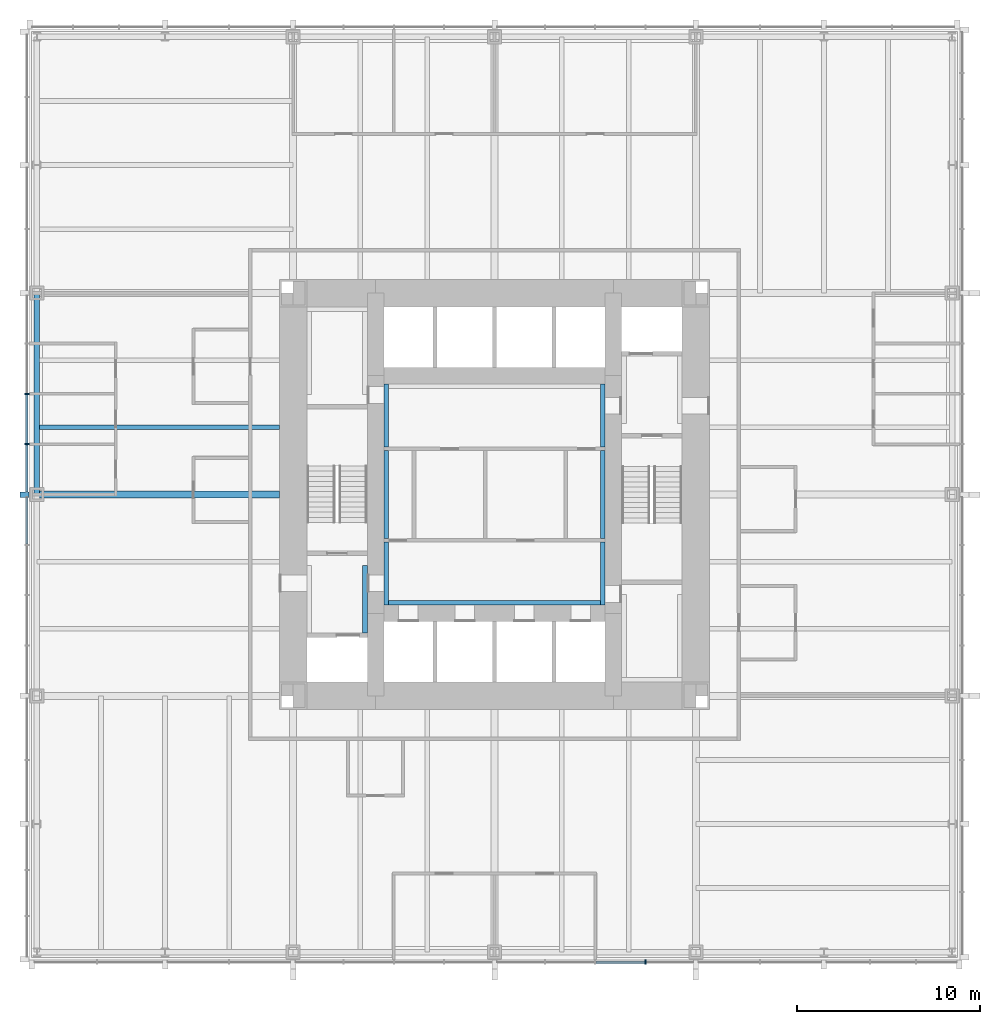
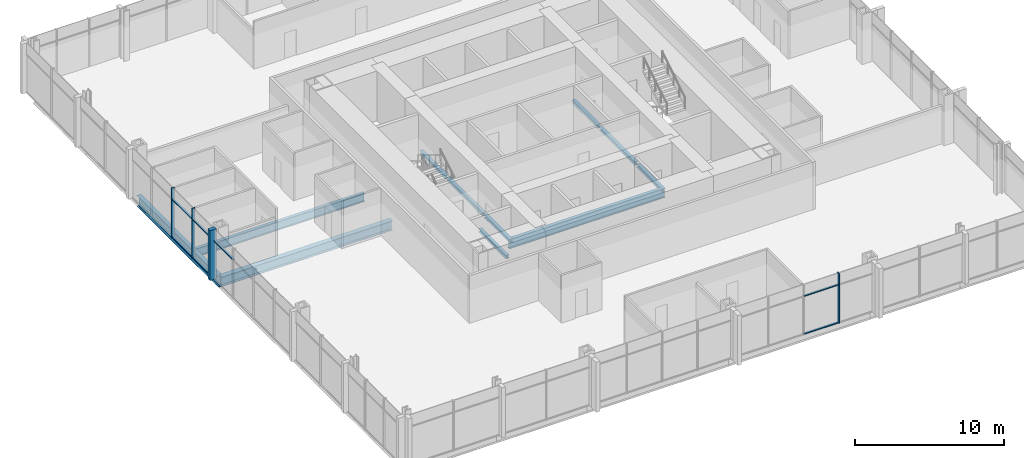
# One storey, part 3 of 12: 11 beams, 11 members, 2 elements without a shape of their own.
"""IFC4 building model written with IfcOpenShell, lengths in metres."""

from ifc_helpers import new_model, si_unit, direction, frame, origin, origin_2d, place, context, subcontext, project, spatial, rectangle, i_section, extrude, material, material_profile, profile_set, type_object, element, aggregate, save


model = new_model("IFC4")

# Units and contexts
model_context = context("Model", 3, precision=1e-05, world=origin(), true_north=direction((0.0, 1.0)))
body_context = subcontext(model_context, "Body", "Model", "MODEL_VIEW")
ifc_project = project(units=[si_unit("LENGTHUNIT", "METRE"), si_unit("AREAUNIT", "SQUARE_METRE"), si_unit("VOLUMEUNIT", "CUBIC_METRE"), si_unit("PLANEANGLEUNIT", "RADIAN"), si_unit("MASSUNIT", "GRAM", prefix="KILO")], contexts=[model_context])

# Site, building, storey
site_placement = place(None, origin())
site = spatial("IfcSite", under=ifc_project, at=site_placement, CompositionType="ELEMENT")
building_placement = place(site_placement, origin())
building = spatial("IfcBuilding", under=site, at=building_placement, Name="Trevanion Tower", CompositionType="ELEMENT")
storey_placement = place(building_placement, frame((0.0, 0.0, 57.0)))
storey = spatial("IfcBuildingStorey", under=building, at=storey_placement, Name="L13", CompositionType="ELEMENT", Elevation=57.0)

# Beam
ifc_material_1 = material(Name="Steel ASTM A992 Grade 50", Category="steel")
ifc_material_profile_1 = material_profile(ifc_material_1, i_section(OverallWidth=0.25390625, OverallDepth=0.700927734375, WebThickness=0.015380859375, FlangeThickness=0.02783203125, at=origin_2d()), Name="W27X129")
ifc_profile_set_1 = profile_set([ifc_material_profile_1], Name="Steel ASTM A992 Grade 50")
beam_type_1 = type_object("IfcBeamType", Name="B3 W27X129", PredefinedType="BEAM", material=ifc_profile_set_1)
beam_1_placement = place(storey_placement, frame((-11.75, 3.666748046875, -0.54052734375), z_axis=(-1.0, 0.0, 0.0), x_axis=(0.0, -1.0, 0.0)))
element("IfcBeam", 1, at=beam_1_placement, inside=storey, type_object=beam_type_1, Name="B3 L13", PredefinedType="BEAM", context=body_context, shape_type="SweptSolid", body=[
    extrude(i_section(OverallWidth=0.25390625, OverallDepth=0.700927734375, WebThickness=0.015380859375, FlangeThickness=0.02783203125, at=origin_2d()), origin(), (0.0, 0.0, 1.0), 13.25),
])

# Curtain wall, members
ifc_material_2 = material(Name="Aluminium and glass", Category="aluminium")
curtain_wall_type = type_object("IfcCurtainWallType", Name="CW1 curtain wall", PredefinedType="USERDEFINED", material=ifc_material_2)
curtain_wall_1_placement = place(storey_placement, origin())
curtain_wall_1 = element("IfcCurtainWall", 2, at=curtain_wall_1_placement, inside=storey, type_object=curtain_wall_type, Name="CW1 L13 2", ObjectType="UNITISED CURTAIN WALL", PredefinedType="USERDEFINED")
ifc_material_3 = material(Name="Aluminium extrusion, anodised bronze", Category="aluminium")
ifc_material_profile_2 = material_profile(ifc_material_3, rectangle(XDim=0.074951171875, YDim=0.25, at=origin_2d()), Name="CW1 mullion")
ifc_profile_set_2 = profile_set([ifc_material_profile_2], Name="Aluminium extrusion, anodised bronze")
member_type_1 = type_object("IfcMemberType", Name="CW1 mullion", PredefinedType="MULLION", material=ifc_profile_set_2)
member_1_placement = place(storey_placement, frame((-25.550048828125, 5.5, -0.18994140625), z_axis=(0.0, 0.0, 1.0), x_axis=(0.0, -1.0, 0.0)))
member_1 = element("IfcMember", 3, at=member_1_placement, type_object=member_type_1, Name="CW1 mullion 7", PredefinedType="MULLION", context=body_context, shape_type="SweptSolid", body=[
    extrude(rectangle(XDim=0.074951171875, YDim=0.25, at=origin_2d()), origin(), (0.0, 0.0, 1.0), 4.099853515625),
])
member_2_placement = place(storey_placement, frame((-25.550048828125, 2.75, -0.18994140625), z_axis=(0.0, 0.0, 1.0), x_axis=(0.0, -1.0, 0.0)))
member_2 = element("IfcMember", 4, at=member_2_placement, type_object=member_type_1, Name="CW1 mullion 8", PredefinedType="MULLION", context=body_context, shape_type="SweptSolid", body=[
    extrude(rectangle(XDim=0.074951171875, YDim=0.25, at=origin_2d()), origin(), (0.0, 0.0, 1.0), 4.099853515625),
])

# Curtain wall, member
curtain_wall_2_placement = place(storey_placement, origin())
curtain_wall_2 = element("IfcCurtainWall", 5, at=curtain_wall_2_placement, inside=storey, type_object=curtain_wall_type, Name="CW1 L13 3", ObjectType="UNITISED CURTAIN WALL", PredefinedType="USERDEFINED")
member_3_placement = place(storey_placement, frame((8.25, -25.550048828125, -0.18994140625), z_axis=(0.0, 0.0, 1.0), x_axis=(1.0, 0.0, 0.0)))
member_3 = element("IfcMember", 6, at=member_3_placement, type_object=member_type_1, Name="CW1 mullion 12", PredefinedType="MULLION", context=body_context, shape_type="SweptSolid", body=[
    extrude(rectangle(XDim=0.074951171875, YDim=0.25, at=origin_2d()), origin(), (0.0, 0.0, 1.0), 4.099853515625),
])

# Member
ifc_material_4 = material(Name="Aluminium extrusion, anodised bronze", Category="aluminium")
ifc_material_profile_3 = material_profile(ifc_material_4, rectangle(XDim=0.300048828125, YDim=0.5, at=origin_2d()), Name="CW1 pier mullion")
ifc_profile_set_3 = profile_set([ifc_material_profile_3], Name="Aluminium extrusion, anodised bronze")
member_type_2 = type_object("IfcMemberType", Name="CW1 pier mullion", PredefinedType="MULLION", material=ifc_profile_set_3)
member_4_placement = place(storey_placement, frame((-25.675048828125, 0.0, -0.18994140625), z_axis=(0.0, 0.0, 1.0), x_axis=(0.0, -1.0, 0.0)))
member_4 = element("IfcMember", 7, at=member_4_placement, type_object=member_type_2, Name="CW1 pier mullion 9", PredefinedType="MULLION", context=body_context, shape_type="SweptSolid", body=[
    extrude(rectangle(XDim=0.300048828125, YDim=0.5, at=origin_2d()), origin(), (0.0, 0.0, 1.0), 4.099853515625),
])

ifc_material_5 = material(Name="Aluminium extrusion, anodised bronze", Category="aluminium")
ifc_material_profile_4 = material_profile(ifc_material_5, rectangle(XDim=0.14990234375, YDim=0.074951171875, at=origin_2d()), Name="CW1 transom")
ifc_profile_set_4 = profile_set([ifc_material_profile_4], Name="Aluminium extrusion, anodised bronze")
member_type_3 = type_object("IfcMemberType", Name="CW1 transom", PredefinedType="USERDEFINED", material=ifc_profile_set_4)
member_5_placement = place(storey_placement, frame((-25.550048828125, 5.46240234375, -0.152587890625), z_axis=(0.0, -1.0, 0.0), x_axis=(1.0, 0.0, 0.0)))
member_5 = element("IfcMember", 8, at=member_5_placement, type_object=member_type_3, Name="CW1 transom 7.1", ObjectType="TRANSOM", PredefinedType="USERDEFINED", context=body_context, shape_type="SweptSolid", body=[
    extrude(rectangle(XDim=0.14990234375, YDim=0.074951171875, at=origin_2d()), origin(), (0.0, 0.0, 1.0), 2.6748046875),
])

member_6_placement = place(storey_placement, frame((-25.550048828125, 5.46240234375, 2.9599609375), z_axis=(0.0, -1.0, 0.0), x_axis=(1.0, 0.0, 0.0)))
member_6 = element("IfcMember", 9, at=member_6_placement, type_object=member_type_3, Name="CW1 transom 7.2", ObjectType="TRANSOM", PredefinedType="USERDEFINED", context=body_context, shape_type="SweptSolid", body=[
    extrude(rectangle(XDim=0.14990234375, YDim=0.074951171875, at=origin_2d()), origin(), (0.0, 0.0, 1.0), 2.6748046875),
])

member_7_placement = place(storey_placement, frame((-25.550048828125, 2.71240234375, -0.152587890625), z_axis=(0.0, -1.0, 0.0), x_axis=(1.0, 0.0, 0.0)))
member_7 = element("IfcMember", 10, at=member_7_placement, type_object=member_type_3, Name="CW1 transom 8.1", ObjectType="TRANSOM", PredefinedType="USERDEFINED", context=body_context, shape_type="SweptSolid", body=[
    extrude(rectangle(XDim=0.14990234375, YDim=0.074951171875, at=origin_2d()), origin(), (0.0, 0.0, 1.0), 2.5625),
])

member_8_placement = place(storey_placement, frame((-25.550048828125, 2.71240234375, 2.9599609375), z_axis=(0.0, -1.0, 0.0), x_axis=(1.0, 0.0, 0.0)))
member_8 = element("IfcMember", 11, at=member_8_placement, type_object=member_type_3, Name="CW1 transom 8.2", ObjectType="TRANSOM", PredefinedType="USERDEFINED", context=body_context, shape_type="SweptSolid", body=[
    extrude(rectangle(XDim=0.14990234375, YDim=0.074951171875, at=origin_2d()), origin(), (0.0, 0.0, 1.0), 2.5625),
])

member_9_placement = place(storey_placement, frame((-25.550048828125, -0.14990234375, 2.9599609375), z_axis=(0.0, -1.0, 0.0), x_axis=(1.0, 0.0, 0.0)))
member_9 = element("IfcMember", 12, at=member_9_placement, type_object=member_type_3, Name="CW1 transom 9.2", ObjectType="TRANSOM", PredefinedType="USERDEFINED", context=body_context, shape_type="SweptSolid", body=[
    extrude(rectangle(XDim=0.14990234375, YDim=0.074951171875, at=origin_2d()), origin(), (0.0, 0.0, 1.0), 2.5625),
])

aggregate(curtain_wall_1, [member_1, member_2, member_4, member_5, member_6, member_7, member_8, member_9])

member_10_placement = place(storey_placement, frame((5.53759765625, -25.550048828125, -0.152587890625), z_axis=(1.0, 0.0, 0.0), x_axis=(0.0, 1.0, 0.0)))
member_10 = element("IfcMember", 13, at=member_10_placement, type_object=member_type_3, Name="CW1 transom 11.1", ObjectType="TRANSOM", PredefinedType="USERDEFINED", context=body_context, shape_type="SweptSolid", body=[
    extrude(rectangle(XDim=0.14990234375, YDim=0.074951171875, at=origin_2d()), origin(), (0.0, 0.0, 1.0), 2.6748046875),
])

member_11_placement = place(storey_placement, frame((5.53759765625, -25.550048828125, 2.9599609375), z_axis=(1.0, 0.0, 0.0), x_axis=(0.0, 1.0, 0.0)))
member_11 = element("IfcMember", 14, at=member_11_placement, type_object=member_type_3, Name="CW1 transom 11.2", ObjectType="TRANSOM", PredefinedType="USERDEFINED", context=body_context, shape_type="SweptSolid", body=[
    extrude(rectangle(XDim=0.14990234375, YDim=0.074951171875, at=origin_2d()), origin(), (0.0, 0.0, 1.0), 2.6748046875),
])

aggregate(curtain_wall_2, [member_3, member_10, member_11])

# Beams
ifc_material_6 = material(Name="Steel ASTM A992 Grade 50", Category="steel")
ifc_material_profile_5 = material_profile(ifc_material_6, i_section(OverallWidth=0.381103515625, OverallDepth=0.77978515625, WebThickness=0.01806640625, FlangeThickness=0.0302734375, at=origin_2d()), Name="W30X191")
ifc_profile_set_5 = profile_set([ifc_material_profile_5], Name="Steel ASTM A992 Grade 50")
beam_type_2 = type_object("IfcBeamType", Name="G2 W30X191", PredefinedType="BEAM", material=ifc_profile_set_5)
beam_2_placement = place(storey_placement, frame((-11.75, 0.0, -0.579833984375), z_axis=(-1.0, 0.0, 0.0), x_axis=(0.0, -1.0, 0.0)))
element("IfcBeam", 15, at=beam_2_placement, inside=storey, type_object=beam_type_2, Name="G2 L13", PredefinedType="BEAM", context=body_context, shape_type="SweptSolid", body=[
    extrude(i_section(OverallWidth=0.381103515625, OverallDepth=0.77978515625, WebThickness=0.01806640625, FlangeThickness=0.0302734375, at=origin_2d()), origin(), (0.0, 0.0, 1.0), 13.25),
])
ifc_material_7 = material(Name="Steel ASTM A992 Grade 50", Category="steel")
ifc_material_profile_6 = material_profile(ifc_material_7, i_section(OverallWidth=0.256591796875, OverallDepth=0.26416015625, WebThickness=0.011962890625, FlangeThickness=0.01953125, at=origin_2d()), Name="W10X68")
ifc_profile_set_6 = profile_set([ifc_material_profile_6], Name="Steel ASTM A992 Grade 50")
beam_type_3 = type_object("IfcBeamType", Name="LB1 W10X68", PredefinedType="BEAM", material=ifc_profile_set_6)
for number, where, z_axis, x_axis, name in (
    (16, (-5.921630859375, 2.60009765625, -0.33203125), (0.0, 1.0, 0.0), (-1.0, 0.0, 0.0), "LB1 L13"),
    (17, (5.921630859375, 2.60009765625, -0.33203125), (0.0, 1.0, 0.0), (-1.0, 0.0, 0.0), "LB1 L13"),
    (18, (-5.921630859375, -6.050048828125, -0.33203125), (0.0, 1.0, 0.0), (-1.0, 0.0, 0.0), "LB1 L13"),
    (19, (5.921630859375, -6.050048828125, -0.33203125), (0.0, 1.0, 0.0), (-1.0, 0.0, 0.0), "LB1 L13"),
):
    element("IfcBeam", number, at=place(storey_placement, frame(where, z_axis=z_axis, x_axis=x_axis)), inside=storey, type_object=beam_type_3, Name=name, PredefinedType="BEAM", context=body_context, shape_type="SweptSolid", body=[
        extrude(i_section(OverallWidth=0.256591796875, OverallDepth=0.26416015625, WebThickness=0.011962890625, FlangeThickness=0.01953125, at=origin_2d()), origin(), (0.0, 0.0, 1.0), 3.449951171875),
    ])
beam_3_placement = place(storey_placement, frame((-7.078369140625, -7.574951171875, -0.33203125), z_axis=(0.0, 1.0, 0.0), x_axis=(-1.0, 0.0, 0.0)))
element("IfcBeam", 20, at=beam_3_placement, inside=storey, type_object=beam_type_3, Name="LB1 L13", PredefinedType="BEAM", context=body_context, shape_type="SweptSolid", body=[
    extrude(i_section(OverallWidth=0.256591796875, OverallDepth=0.26416015625, WebThickness=0.011962890625, FlangeThickness=0.01953125, at=origin_2d()), origin(), (0.0, 0.0, 1.0), 3.699951171875),
])
for number, where, z_axis, x_axis, name in (
    (21, (-5.921630859375, -2.39990234375, -0.33203125), (0.0, 1.0, 0.0), (-1.0, 0.0, 0.0), "LB1 L13"),
    (22, (5.921630859375, -2.39990234375, -0.33203125), (0.0, 1.0, 0.0), (-1.0, 0.0, 0.0), "LB1 L13"),
):
    element("IfcBeam", number, at=place(storey_placement, frame(where, z_axis=z_axis, x_axis=x_axis)), inside=storey, type_object=beam_type_3, Name=name, PredefinedType="BEAM", context=body_context, shape_type="SweptSolid", body=[
        extrude(i_section(OverallWidth=0.256591796875, OverallDepth=0.26416015625, WebThickness=0.011962890625, FlangeThickness=0.01953125, at=origin_2d()), origin(), (0.0, 0.0, 1.0), 4.7998046875),
    ])
ifc_material_8 = material(Name="Steel ASTM A992 Grade 50", Category="steel")
ifc_material_profile_7 = material_profile(ifc_material_8, i_section(OverallWidth=0.2666015625, OverallDepth=0.76953125, WebThickness=0.015625, FlangeThickness=0.025390625, at=origin_2d()), Name="W30X132")
ifc_profile_set_7 = profile_set([ifc_material_profile_7], Name="Steel ASTM A992 Grade 50")
beam_type_4 = type_object("IfcBeamType", Name="LB3 W30X132", PredefinedType="BEAM", material=ifc_profile_set_7)
beam_4_placement = place(storey_placement, frame((-6.050048828125, -5.91650390625, -0.584716796875), z_axis=(1.0, 0.0, 0.0), x_axis=(0.0, 1.0, 0.0)))
element("IfcBeam", 23, at=beam_4_placement, inside=storey, type_object=beam_type_4, Name="LB3 L13", PredefinedType="BEAM", context=body_context, shape_type="SweptSolid", body=[
    extrude(i_section(OverallWidth=0.2666015625, OverallDepth=0.76953125, WebThickness=0.015625, FlangeThickness=0.025390625, at=origin_2d()), origin(), (0.0, 0.0, 1.0), 12.10009765625),
])
ifc_material_9 = material(Name="Steel ASTM A992 Grade 50", Category="steel")
ifc_material_profile_8 = material_profile(ifc_material_9, i_section(OverallWidth=0.307373046875, OverallDepth=0.927001953125, WebThickness=0.01953125, FlangeThickness=0.031982421875, at=origin_2d()), Name="W36X194")
ifc_profile_set_8 = profile_set([ifc_material_profile_8], Name="Steel ASTM A992 Grade 50")
beam_type_5 = type_object("IfcBeamType", Name="SB2 W36X194", PredefinedType="SPANDREL", material=ifc_profile_set_8)
beam_5_placement = place(storey_placement, frame((-25.0, 11.0, -0.653564453125), z_axis=(0.0, -1.0, 0.0), x_axis=(1.0, 0.0, 0.0)))
element("IfcBeam", 24, at=beam_5_placement, inside=storey, type_object=beam_type_5, Name="SB2 L13", PredefinedType="SPANDREL", context=body_context, shape_type="SweptSolid", body=[
    extrude(i_section(OverallWidth=0.307373046875, OverallDepth=0.927001953125, WebThickness=0.01953125, FlangeThickness=0.031982421875, at=origin_2d()), origin(), (0.0, 0.0, 1.0), 11.0),
])

save(model, "model.ifc")
